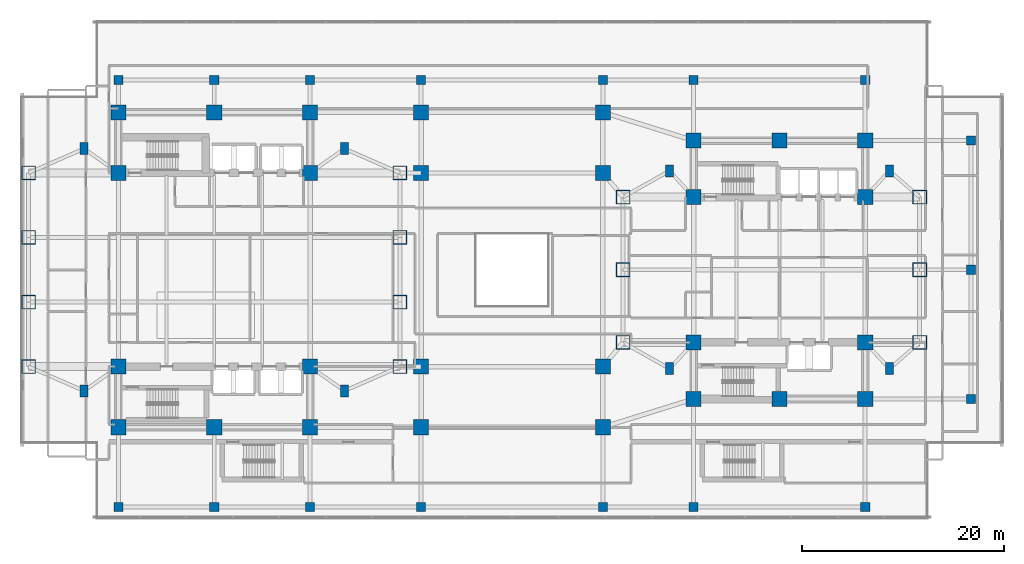
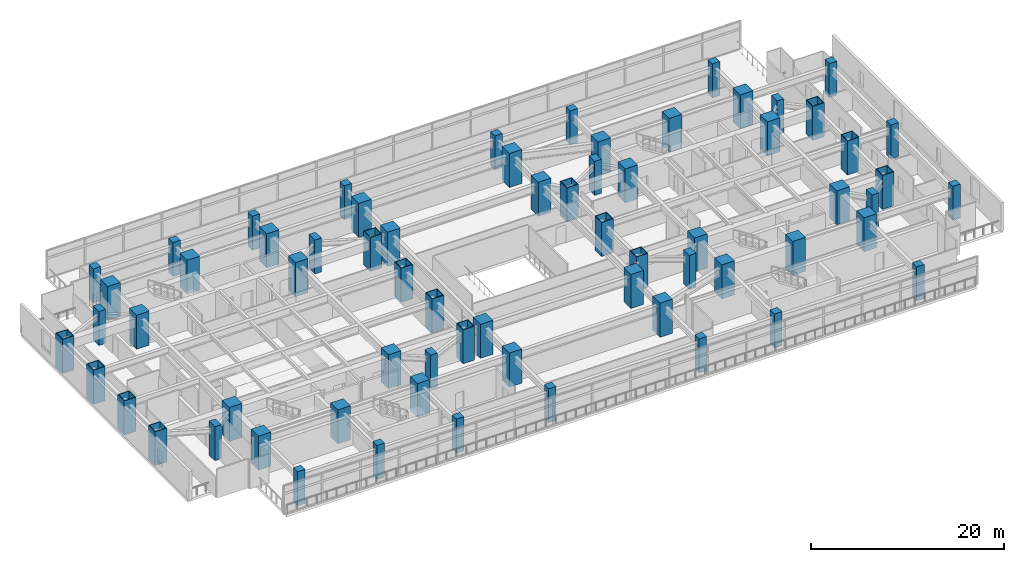
# One storey, part 1 of 26: 67 columns.
"""IFC4 building model written with IfcOpenShell, lengths in metres."""

from ifc_helpers import new_model, si_unit, direction, frame, origin, origin_2d, place, context, subcontext, project, spatial, rectangle, hollow_rectangle, extrude, material, material_profile, profile_set, type_object, element, save


model = new_model("IFC4")

# Units and contexts
model_context = context("Model", 3, precision=1e-05, world=origin(), true_north=direction((0.0, 1.0)))
body_context = subcontext(model_context, "Body", "Model", "MODEL_VIEW")
ifc_project = project(units=[si_unit("LENGTHUNIT", "METRE"), si_unit("AREAUNIT", "SQUARE_METRE"), si_unit("VOLUMEUNIT", "CUBIC_METRE"), si_unit("PLANEANGLEUNIT", "RADIAN"), si_unit("MASSUNIT", "GRAM", prefix="KILO")], contexts=[model_context])

# Site, building, storey
site_placement = place(None, origin())
site = spatial("IfcSite", under=ifc_project, at=site_placement, CompositionType="ELEMENT")
building_placement = place(site_placement, origin())
building = spatial("IfcBuilding", under=site, at=building_placement, Name="Mirazonda Arch Towers", CompositionType="ELEMENT")
storey_placement = place(building_placement, frame((0.0, 0.0, 13.800048828125)))
storey = spatial("IfcBuildingStorey", under=building, at=storey_placement, Name="L03", CompositionType="ELEMENT", Elevation=13.800048828125)

# Columns
ifc_material_1 = material(Name="Concrete C60/75", Category="concrete")
ifc_material_profile_1 = material_profile(ifc_material_1, rectangle(XDim=1.5, YDim=1.5, at=origin_2d()), Name="RC1500x1500")
ifc_profile_set_1 = profile_set([ifc_material_profile_1], Name="Concrete C60/75")
column_type_1 = type_object("IfcColumnType", Name="COL-INT-RC1500x1500", PredefinedType="COLUMN", material=ifc_profile_set_1)
for number, where, z_axis, x_axis, name in (
    (1, (11.0, 12.39990234375, 0.0), (0.0, 0.0, 1.0), (1.0, 0.0, 0.0), "L03 T1 Core Column 01"),
    (2, (20.5, 12.39990234375, 0.0), (0.0, 0.0, 1.0), (1.0, 0.0, 0.0), "L03 T1 Core Column 02"),
    (3, (30.0, 12.39990234375, 0.0), (0.0, 0.0, 1.0), (1.0, 0.0, 0.0), "L03 T1 Core Column 03"),
    (4, (11.0, 18.39990234375, 0.0), (0.0, 0.0, 1.0), (1.0, 0.0, 0.0), "L03 T1 Core Column 04"),
    (5, (30.0, 18.39990234375, 0.0), (0.0, 0.0, 1.0), (1.0, 0.0, 0.0), "L03 T1 Core Column 05"),
    (6, (11.0, 37.60009765625, 0.0), (0.0, 0.0, 1.0), (1.0, 0.0, 0.0), "L03 T1 Core Column 06"),
    (7, (30.0, 37.60009765625, 0.0), (0.0, 0.0, 1.0), (1.0, 0.0, 0.0), "L03 T1 Core Column 07"),
    (8, (11.0, 43.60009765625, 0.0), (0.0, 0.0, 1.0), (1.0, 0.0, 0.0), "L03 T1 Core Column 08"),
    (9, (20.5, 43.60009765625, 0.0), (0.0, 0.0, 1.0), (1.0, 0.0, 0.0), "L03 T1 Core Column 09"),
    (10, (30.0, 43.60009765625, 0.0), (0.0, 0.0, 1.0), (1.0, 0.0, 0.0), "L03 T1 Core Column 10"),
    (11, (68.0, 15.199951171875, 0.0), (0.0, 0.0, 1.0), (1.0, 0.0, 0.0), "L03 T2 Core Column 01"),
    (12, (76.5, 15.199951171875, 0.0), (0.0, 0.0, 1.0), (1.0, 0.0, 0.0), "L03 T2 Core Column 02"),
    (13, (85.0, 15.199951171875, 0.0), (0.0, 0.0, 1.0), (1.0, 0.0, 0.0), "L03 T2 Core Column 03"),
    (14, (68.0, 20.800048828125, 0.0), (0.0, 0.0, 1.0), (1.0, 0.0, 0.0), "L03 T2 Core Column 04"),
    (15, (85.0, 20.800048828125, 0.0), (0.0, 0.0, 1.0), (1.0, 0.0, 0.0), "L03 T2 Core Column 05"),
    (16, (68.0, 35.199951171875, 0.0), (0.0, 0.0, 1.0), (1.0, 0.0, 0.0), "L03 T2 Core Column 06"),
    (17, (85.0, 35.199951171875, 0.0), (0.0, 0.0, 1.0), (1.0, 0.0, 0.0), "L03 T2 Core Column 07"),
    (18, (68.0, 40.800048828125, 0.0), (0.0, 0.0, 1.0), (1.0, 0.0, 0.0), "L03 T2 Core Column 08"),
    (19, (76.5, 40.800048828125, 0.0), (0.0, 0.0, 1.0), (1.0, 0.0, 0.0), "L03 T2 Core Column 09"),
    (20, (85.0, 40.800048828125, 0.0), (0.0, 0.0, 1.0), (1.0, 0.0, 0.0), "L03 T2 Core Column 10"),
    (21, (41.0, 12.39990234375, 0.0), (0.0, 0.0, 1.0), (1.0, 0.0, 0.0), "L03 Arch Springing Pier 01"),
    (22, (41.0, 18.39990234375, 0.0), (0.0, 0.0, 1.0), (1.0, 0.0, 0.0), "L03 Arch Springing Pier 02"),
    (23, (41.0, 37.60009765625, 0.0), (0.0, 0.0, 1.0), (1.0, 0.0, 0.0), "L03 Arch Springing Pier 03"),
    (24, (41.0, 43.60009765625, 0.0), (0.0, 0.0, 1.0), (1.0, 0.0, 0.0), "L03 Arch Springing Pier 04"),
    (25, (59.0, 12.39990234375, 0.0), (0.0, 0.0, 1.0), (1.0, 0.0, 0.0), "L03 Arch Springing Pier 05"),
    (26, (59.0, 18.39990234375, 0.0), (0.0, 0.0, 1.0), (1.0, 0.0, 0.0), "L03 Arch Springing Pier 06"),
    (27, (59.0, 37.60009765625, 0.0), (0.0, 0.0, 1.0), (1.0, 0.0, 0.0), "L03 Arch Springing Pier 07"),
    (28, (59.0, 43.60009765625, 0.0), (0.0, 0.0, 1.0), (1.0, 0.0, 0.0), "L03 Arch Springing Pier 08"),
):
    element("IfcColumn", number, at=place(storey_placement, frame(where, z_axis=z_axis, x_axis=x_axis)), inside=storey, type_object=column_type_1, Name=name, PredefinedType="COLUMN", context=body_context, shape_type="SweptSolid", body=[
        extrude(rectangle(XDim=1.5, YDim=1.5, at=origin_2d()), origin(), (0.0, 0.0, 1.0), 4.300048828125),
    ])
ifc_material_2 = material(Name="Concrete C50/60", Category="concrete")
ifc_material_profile_2 = material_profile(ifc_material_2, rectangle(XDim=0.89990234375, YDim=0.89990234375, at=origin_2d()), Name="RC900x900")
ifc_profile_set_2 = profile_set([ifc_material_profile_2], Name="Concrete C50/60")
column_type_2 = type_object("IfcColumnType", Name="COL-INT-RC900x900", PredefinedType="COLUMN", material=ifc_profile_set_2)
for number, where, z_axis, x_axis, name in (
    (29, (11.0, 4.5, 0.0), (0.0, 0.0, 1.0), (1.0, 0.0, 0.0), "L03 Podium Column 01"),
    (30, (20.5, 4.5, 0.0), (0.0, 0.0, 1.0), (1.0, 0.0, 0.0), "L03 Podium Column 02"),
    (31, (30.0, 4.5, 0.0), (0.0, 0.0, 1.0), (1.0, 0.0, 0.0), "L03 Podium Column 03"),
    (32, (41.0, 4.5, 0.0), (0.0, 0.0, 1.0), (1.0, 0.0, 0.0), "L03 Podium Column 04"),
    (33, (59.0, 4.5, 0.0), (0.0, 0.0, 1.0), (1.0, 0.0, 0.0), "L03 Podium Column 05"),
    (34, (68.0, 4.5, 0.0), (0.0, 0.0, 1.0), (1.0, 0.0, 0.0), "L03 Podium Column 06"),
    (35, (85.0, 4.5, 0.0), (0.0, 0.0, 1.0), (1.0, 0.0, 0.0), "L03 Podium Column 07"),
    (36, (11.0, 46.800048828125, 0.0), (0.0, 0.0, 1.0), (1.0, 0.0, 0.0), "L03 Podium Column 08"),
    (37, (20.5, 46.800048828125, 0.0), (0.0, 0.0, 1.0), (1.0, 0.0, 0.0), "L03 Podium Column 09"),
    (38, (30.0, 46.800048828125, 0.0), (0.0, 0.0, 1.0), (1.0, 0.0, 0.0), "L03 Podium Column 10"),
    (39, (41.0, 46.800048828125, 0.0), (0.0, 0.0, 1.0), (1.0, 0.0, 0.0), "L03 Podium Column 11"),
    (40, (59.0, 46.800048828125, 0.0), (0.0, 0.0, 1.0), (1.0, 0.0, 0.0), "L03 Podium Column 12"),
    (41, (68.0, 46.800048828125, 0.0), (0.0, 0.0, 1.0), (1.0, 0.0, 0.0), "L03 Podium Column 13"),
    (42, (85.0, 46.800048828125, 0.0), (0.0, 0.0, 1.0), (1.0, 0.0, 0.0), "L03 Podium Column 14"),
    (43, (95.5, 15.199951171875, 0.0), (0.0, 0.0, 1.0), (1.0, 0.0, 0.0), "L03 Podium Column 15"),
    (44, (95.5, 28.0, 0.0), (0.0, 0.0, 1.0), (1.0, 0.0, 0.0), "L03 Podium Column 16"),
    (45, (95.5, 40.800048828125, 0.0), (0.0, 0.0, 1.0), (1.0, 0.0, 0.0), "L03 Podium Column 17"),
):
    element("IfcColumn", number, at=place(storey_placement, frame(where, z_axis=z_axis, x_axis=x_axis)), inside=storey, type_object=column_type_2, Name=name, PredefinedType="COLUMN", context=body_context, shape_type="SweptSolid", body=[
        extrude(rectangle(XDim=0.89990234375, YDim=0.89990234375, at=origin_2d()), origin(), (0.0, 0.0, 1.0), 4.300048828125),
    ])
ifc_material_3 = material(Name="Steel ASTM A572 Grade 50", Category="steel")
ifc_material_profile_3 = material_profile(ifc_material_3, hollow_rectangle(XDim=1.39990234375, YDim=1.39990234375, WallThickness=0.080078125, at=origin_2d()), Name="BOX1400x1400x80")
ifc_profile_set_3 = profile_set([ifc_material_profile_3], Name="Steel ASTM A572 Grade 50")
column_type_3 = type_object("IfcColumnType", Name="MCOL-EXT-BOX1400x1400x80", PredefinedType="COLUMN", material=ifc_profile_set_3)
for number, where, z_axis, x_axis, name in (
    (46, (2.10009765625, 18.39990234375, 0.0), (0.0, 0.0, 1.0), (1.0, 0.0, 0.0), "L03 T1 Composite Mega-Column 01"),
    (47, (2.10009765625, 24.800048828125, 0.0), (0.0, 0.0, 1.0), (1.0, 0.0, 0.0), "L03 T1 Composite Mega-Column 02"),
    (48, (2.10009765625, 31.199951171875, 0.0), (0.0, 0.0, 1.0), (1.0, 0.0, 0.0), "L03 T1 Composite Mega-Column 03"),
    (49, (2.10009765625, 37.60009765625, 0.0), (0.0, 0.0, 1.0), (1.0, 0.0, 0.0), "L03 T1 Composite Mega-Column 04"),
    (50, (38.89990234375, 18.39990234375, 0.0), (0.0, 0.0, 1.0), (1.0, 0.0, 0.0), "L03 T1 Composite Mega-Column 05"),
    (51, (38.89990234375, 24.800048828125, 0.0), (0.0, 0.0, 1.0), (1.0, 0.0, 0.0), "L03 T1 Composite Mega-Column 06"),
    (52, (38.89990234375, 31.199951171875, 0.0), (0.0, 0.0, 1.0), (1.0, 0.0, 0.0), "L03 T1 Composite Mega-Column 07"),
    (53, (38.89990234375, 37.60009765625, 0.0), (0.0, 0.0, 1.0), (1.0, 0.0, 0.0), "L03 T1 Composite Mega-Column 08"),
    (54, (61.0, 20.800048828125, 0.0), (0.0, 0.0, 1.0), (1.0, 0.0, 0.0), "L03 T2 Composite Mega-Column 01"),
    (55, (61.0, 28.0, 0.0), (0.0, 0.0, 1.0), (1.0, 0.0, 0.0), "L03 T2 Composite Mega-Column 02"),
    (56, (61.0, 35.199951171875, 0.0), (0.0, 0.0, 1.0), (1.0, 0.0, 0.0), "L03 T2 Composite Mega-Column 03"),
    (57, (90.39990234375, 20.800048828125, 0.0), (0.0, 0.0, 1.0), (1.0, 0.0, 0.0), "L03 T2 Composite Mega-Column 04"),
    (58, (90.39990234375, 28.0, 0.0), (0.0, 0.0, 1.0), (1.0, 0.0, 0.0), "L03 T2 Composite Mega-Column 05"),
    (59, (90.39990234375, 35.199951171875, 0.0), (0.0, 0.0, 1.0), (1.0, 0.0, 0.0), "L03 T2 Composite Mega-Column 06"),
):
    element("IfcColumn", number, at=place(storey_placement, frame(where, z_axis=z_axis, x_axis=x_axis)), inside=storey, type_object=column_type_3, Name=name, PredefinedType="COLUMN", context=body_context, shape_type="SweptSolid", body=[
        extrude(hollow_rectangle(XDim=1.39990234375, YDim=1.39990234375, WallThickness=0.080078125, at=origin_2d()), origin(), (0.0, 0.0, 1.0), 4.300048828125),
    ])
ifc_material_profile_4 = material_profile(ifc_material_1, rectangle(XDim=0.800048828125, YDim=1.199951171875, at=origin_2d()), Name="RC1200x800")
ifc_profile_set_4 = profile_set([ifc_material_profile_4], Name="Concrete C60/75")
column_type_4 = type_object("IfcColumnType", Name="PIL-EXT-RC1200x800", PredefinedType="PILASTER", material=ifc_profile_set_4)
for number, where, z_axis, x_axis, name in (
    (60, (7.60009765625, 16.0, 0.0), (0.0, 0.0, 1.0), (1.0, 0.0, 0.0), "L03 T1 Corner Pilaster 01"),
    (61, (33.39990234375, 16.0, 0.0), (0.0, 0.0, 1.0), (1.0, 0.0, 0.0), "L03 T1 Corner Pilaster 02"),
    (62, (7.60009765625, 40.0, 0.0), (0.0, 0.0, 1.0), (1.0, 0.0, 0.0), "L03 T1 Corner Pilaster 03"),
    (63, (33.39990234375, 40.0, 0.0), (0.0, 0.0, 1.0), (1.0, 0.0, 0.0), "L03 T1 Corner Pilaster 04"),
    (64, (65.60009765625, 18.199951171875, 0.0), (0.0, 0.0, 1.0), (1.0, 0.0, 0.0), "L03 T2 Corner Pilaster 01"),
    (65, (87.39990234375, 18.199951171875, 0.0), (0.0, 0.0, 1.0), (1.0, 0.0, 0.0), "L03 T2 Corner Pilaster 02"),
    (66, (65.60009765625, 37.800048828125, 0.0), (0.0, 0.0, 1.0), (1.0, 0.0, 0.0), "L03 T2 Corner Pilaster 03"),
    (67, (87.39990234375, 37.800048828125, 0.0), (0.0, 0.0, 1.0), (1.0, 0.0, 0.0), "L03 T2 Corner Pilaster 04"),
):
    element("IfcColumn", number, at=place(storey_placement, frame(where, z_axis=z_axis, x_axis=x_axis)), inside=storey, type_object=column_type_4, Name=name, PredefinedType="PILASTER", context=body_context, shape_type="SweptSolid", body=[
        extrude(rectangle(XDim=0.800048828125, YDim=1.199951171875, at=origin_2d()), origin(), (0.0, 0.0, 1.0), 4.300048828125),
    ])

save(model, "model.ifc")
